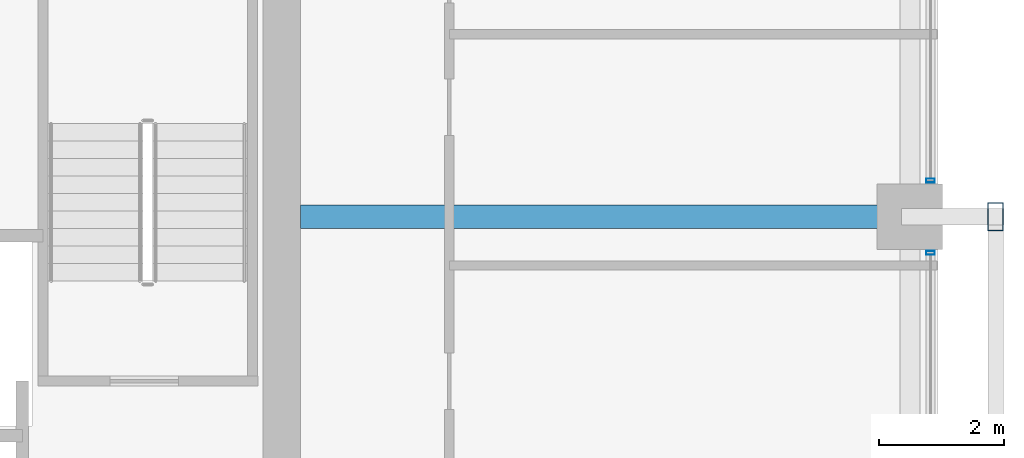
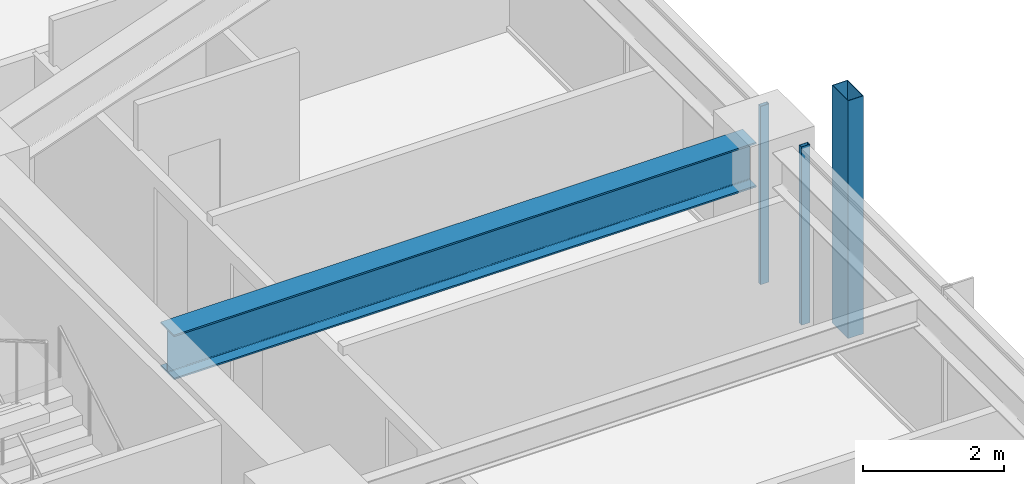
# One storey, part 17 of 38: 3 members, 1 beam, 2 elements without a shape of their own.
"""IFC4 building model written with IfcOpenShell, lengths in metres."""

from ifc_helpers import new_model, si_unit, direction, frame, origin, origin_2d, place, context, subcontext, project, spatial, hollow_rectangle, i_section, extrude, material, material_profile, profile_set, type_object, element, aggregate, save


model = new_model("IFC4")

# Units and contexts
model_context = context("Model", 3, precision=1e-05, world=origin(), true_north=direction((0.0, 1.0)))
body_context = subcontext(model_context, "Body", "Model", "MODEL_VIEW")
ifc_project = project(units=[si_unit("LENGTHUNIT", "METRE"), si_unit("AREAUNIT", "SQUARE_METRE"), si_unit("VOLUMEUNIT", "CUBIC_METRE"), si_unit("PLANEANGLEUNIT", "RADIAN"), si_unit("MASSUNIT", "GRAM", prefix="KILO")], contexts=[model_context])

# Site, building, storey
site_placement = place(None, origin())
site = spatial("IfcSite", under=ifc_project, at=site_placement, CompositionType="ELEMENT")
building_placement = place(site_placement, origin())
building = spatial("IfcBuilding", under=site, at=building_placement, Name="Kolvaren Belvedere", CompositionType="ELEMENT")
storey_placement = place(building_placement, frame((0.0, 0.0, 72.199951171875)))
storey = spatial("IfcBuildingStorey", under=building, at=storey_placement, Name="L20", CompositionType="ELEMENT", Elevation=72.199951171875)

# Beam
ifc_material_1 = material(Name="Structural steel ASTM A992 Grade 50", Category="steel")
ifc_material_profile_1 = material_profile(ifc_material_1, i_section(OverallWidth=0.381103515625, OverallDepth=0.77294921875, WebThickness=0.0166015625, FlangeThickness=0.027099609375, FilletRadius=0.02392578125, at=origin_2d()), Name="W30X173")
ifc_profile_set_1 = profile_set([ifc_material_profile_1], Name="Structural steel ASTM A992 Grade 50")
beam_type = type_object("IfcBeamType", Name="BM-GIRD-W30X173", PredefinedType="BEAM", material=ifc_profile_set_1)
beam_placement = place(storey_placement, frame((10.199951171875, 4.60009765625, 2.693603515625), z_axis=(1.0, 0.0, 0.0), x_axis=(0.0, 1.0, 0.0)))
element("IfcBeam", 1, at=beam_placement, inside=storey, type_object=beam_type, Name="L20 East Radial Girder P", PredefinedType="BEAM", context=body_context, shape_type="SweptSolid", body=[
    extrude(i_section(OverallWidth=0.381103515625, OverallDepth=0.77294921875, WebThickness=0.0166015625, FlangeThickness=0.027099609375, FilletRadius=0.02392578125, at=origin_2d()), origin(), (0.0, 0.0, 1.0), 9.513916015625),
])

# Curtain wall, member
ifc_material_2 = material(Name="Anodised pale-metal aluminium AA 6063-T6", Category="aluminium")
curtain_wall_type = type_object("IfcCurtainWallType", Name="CW-Z2-MID", PredefinedType="NOTDEFINED", material=ifc_material_2)
curtain_wall_1_placement = place(storey_placement, origin())
curtain_wall_1 = element("IfcCurtainWall", 2, at=curtain_wall_1_placement, inside=storey, type_object=curtain_wall_type, Name="L20 Unitised Curtain Wall FCW-L20-E-B1", PredefinedType="NOTDEFINED")
ifc_material_3 = material(Name="Anodised pale-metal aluminium AA 6063-T6", Category="aluminium")
ifc_material_profile_2 = material_profile(ifc_material_3, hollow_rectangle(XDim=0.06494140625, YDim=0.139892578125, WallThickness=0.00390625, at=origin_2d()), Name="ALU-MUL-140X65")
ifc_profile_set_2 = profile_set([ifc_material_profile_2], Name="Anodised pale-metal aluminium AA 6063-T6")
member_type_1 = type_object("IfcMemberType", Name="CW-MUL-140", PredefinedType="MULLION", material=ifc_profile_set_2)
member_1_placement = place(storey_placement, frame((20.280029296875, 5.177490234375, 0.0), z_axis=(0.0, 0.0, 1.0), x_axis=(0.0, 1.0, 0.0)))
member_1 = element("IfcMember", 3, at=member_1_placement, type_object=member_type_1, Name="FCW-L20-E-B1 Unitised Mullion 3", PredefinedType="MULLION", context=body_context, shape_type="SweptSolid", body=[
    extrude(hollow_rectangle(XDim=0.06494140625, YDim=0.139892578125, WallThickness=0.00390625, at=origin_2d()), origin(), (0.0, 0.0, 1.0), 3.080078125),
])
aggregate(curtain_wall_1, [member_1])

curtain_wall_2_placement = place(storey_placement, origin())
curtain_wall_2 = element("IfcCurtainWall", 4, at=curtain_wall_2_placement, inside=storey, type_object=curtain_wall_type, Name="L20 Unitised Curtain Wall FCW-L20-E-B2", PredefinedType="NOTDEFINED")
member_2_placement = place(storey_placement, frame((20.280029296875, 4.0224609375, 0.0), z_axis=(0.0, 0.0, 1.0), x_axis=(0.0, 1.0, 0.0)))
member_2 = element("IfcMember", 5, at=member_2_placement, type_object=member_type_1, Name="FCW-L20-E-B2 Unitised Mullion 1", PredefinedType="MULLION", context=body_context, shape_type="SweptSolid", body=[
    extrude(hollow_rectangle(XDim=0.06494140625, YDim=0.139892578125, WallThickness=0.00390625, at=origin_2d()), origin(), (0.0, 0.0, 1.0), 3.080078125),
])
aggregate(curtain_wall_2, [member_2])

# Member
ifc_material_4 = material(Name="Anodised pale-metal aluminium AA 6063-T6", Category="aluminium")
ifc_material_profile_3 = material_profile(ifc_material_4, hollow_rectangle(XDim=0.25, YDim=0.449951171875, WallThickness=0.008544921875, at=origin_2d()), Name="ALU-PF-450X250")
ifc_profile_set_3 = profile_set([ifc_material_profile_3], Name="Anodised pale-metal aluminium AA 6063-T6")
member_type_2 = type_object("IfcMemberType", Name="PF-FRAME-450", PredefinedType="USERDEFINED", material=ifc_profile_set_3)
member_3_placement = place(storey_placement, frame((21.320068359375, 4.60009765625, -0.81005859375), z_axis=(0.0, 0.0, 1.0), x_axis=(1.0, 0.0, 0.0)))
element("IfcMember", 6, at=member_3_placement, inside=storey, type_object=member_type_2, Name="L20 Outboard Picture-Frame Vertical E1", ObjectType="PICTURE FRAME FIN", PredefinedType="USERDEFINED", context=body_context, shape_type="SweptSolid", body=[
    extrude(hollow_rectangle(XDim=0.25, YDim=0.449951171875, WallThickness=0.008544921875, at=origin_2d()), origin(), (0.0, 0.0, 1.0), 4.110107421875),
])

save(model, "model.ifc")
